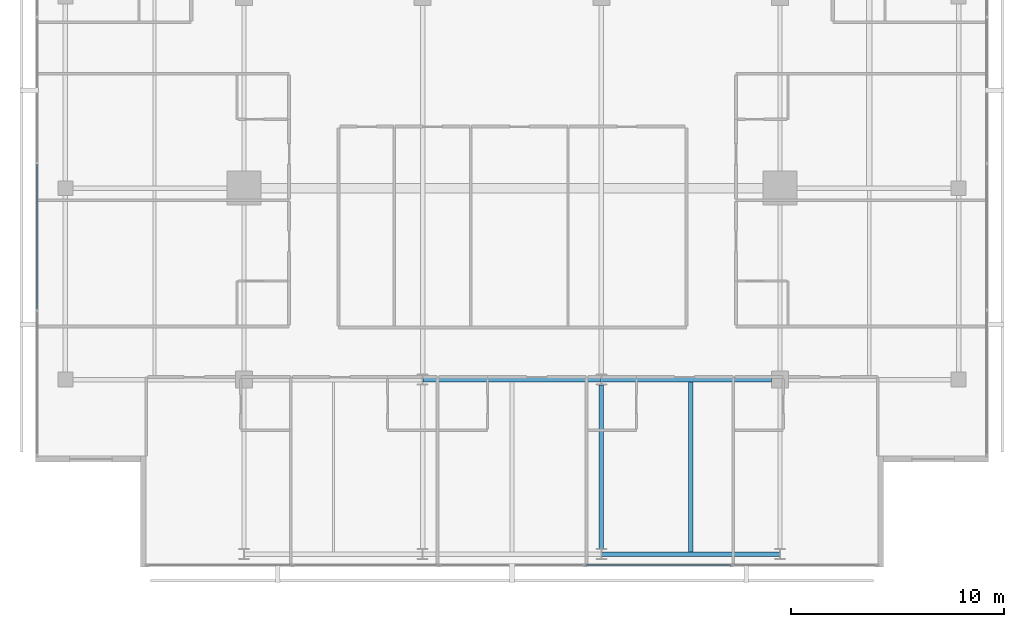
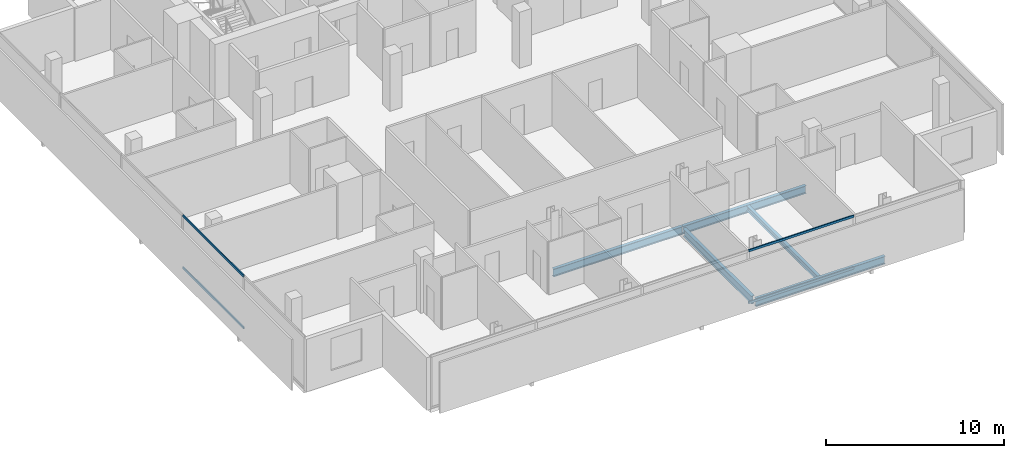
# One storey, part 7 of 26: 5 beams, 4 members, 2 elements without a shape of their own.
"""IFC4 building model written with IfcOpenShell, lengths in metres."""

from ifc_helpers import new_model, si_unit, direction, frame, origin, origin_2d, place, context, subcontext, project, spatial, hollow_rectangle, i_section, extrude, material, layer, layer_set, material_profile, profile_set, type_object, element, aggregate, save


model = new_model("IFC4")

# Units and contexts
model_context = context("Model", 3, precision=1e-05, world=origin(), true_north=direction((0.0, 1.0)))
body_context = subcontext(model_context, "Body", "Model", "MODEL_VIEW")
ifc_project = project(units=[si_unit("LENGTHUNIT", "METRE"), si_unit("AREAUNIT", "SQUARE_METRE"), si_unit("VOLUMEUNIT", "CUBIC_METRE"), si_unit("PLANEANGLEUNIT", "RADIAN"), si_unit("MASSUNIT", "GRAM", prefix="KILO")], contexts=[model_context])

# Site, building, storey
site_placement = place(None, origin())
site = spatial("IfcSite", under=ifc_project, at=site_placement, CompositionType="ELEMENT")
building_placement = place(site_placement, origin())
building = spatial("IfcBuilding", under=site, at=building_placement, Name="Maruvema Waterfront Hotel and Observation Tower", CompositionType="ELEMENT")
storey_placement = place(building_placement, frame((0.0, 0.0, 266.35009765625)))
storey = spatial("IfcBuildingStorey", under=building, at=storey_placement, Name="L65", CompositionType="ELEMENT", Elevation=266.35009765625)

# Curtain wall, members
ifc_material_1 = material(Name="Anodised bronze aluminium and solar-control low-E IGU", Category="aluminium")
ifc_layer = layer(ifc_material_1, 0.159912109375, Name="Zone 3 Champagne Inner Thermal Curtain Wall System CW-04")
ifc_layer_set = layer_set([ifc_layer], Name="Anodised bronze aluminium and solar-control low-E IGU")
curtain_wall_type = type_object("IfcCurtainWallType", Name="Zone 3 Champagne Inner Thermal Curtain Wall System CW-04", PredefinedType="USERDEFINED", material=ifc_layer_set)
curtain_wall_1_placement = place(storey_placement, origin())
curtain_wall_1 = element("IfcCurtainWall", 1, at=curtain_wall_1_placement, inside=storey, type_object=curtain_wall_type, Name="L65 Curtain Wall CW-L65-S", ObjectType="UNITISED CURTAIN WALL", PredefinedType="USERDEFINED")
ifc_material_2 = material(Name="Anodised architectural bronze aluminium", Category="aluminium")
ifc_material_profile_1 = material_profile(ifc_material_2, hollow_rectangle(XDim=0.070068359375, YDim=0.14990234375, WallThickness=0.00390625, at=origin_2d()), Name="ALU-T70x150")
ifc_profile_set_1 = profile_set([ifc_material_profile_1], Name="Anodised architectural bronze aluminium")
member_type = type_object("IfcMemberType", Name="Curtain Wall Horizontal Transom ALU-T70x150", PredefinedType="USERDEFINED", material=ifc_profile_set_1)
member_1_placement = place(storey_placement, frame((41.27001953125, 9.280029296875, 0.02978515625), z_axis=(1.0, 0.0, 0.0), x_axis=(0.0, 1.0, 0.0)))
member_1 = element("IfcMember", 2, at=member_1_placement, type_object=member_type, Name="CW-04 transom 4.1", ObjectType="TRANSOM", PredefinedType="USERDEFINED", context=body_context, shape_type="SweptSolid", body=[
    extrude(hollow_rectangle(XDim=0.070068359375, YDim=0.14990234375, WallThickness=0.00390625, at=origin_2d()), origin(), (0.0, 0.0, 1.0), 6.820068359375),
])
member_2_placement = place(storey_placement, frame((41.27001953125, 9.280029296875, 3.579833984375), z_axis=(1.0, 0.0, 0.0), x_axis=(0.0, 1.0, 0.0)))
member_2 = element("IfcMember", 3, at=member_2_placement, type_object=member_type, Name="CW-04 transom 4.2", ObjectType="TRANSOM", PredefinedType="USERDEFINED", context=body_context, shape_type="SweptSolid", body=[
    extrude(hollow_rectangle(XDim=0.070068359375, YDim=0.14990234375, WallThickness=0.00390625, at=origin_2d()), origin(), (0.0, 0.0, 1.0), 6.820068359375),
])
aggregate(curtain_wall_1, [member_1, member_2])

curtain_wall_2_placement = place(storey_placement, origin())
curtain_wall_2 = element("IfcCurtainWall", 4, at=curtain_wall_2_placement, inside=storey, type_object=curtain_wall_type, Name="L65 Curtain Wall CW-L65-W", ObjectType="UNITISED CURTAIN WALL", PredefinedType="USERDEFINED")
member_3_placement = place(storey_placement, frame((15.47998046875, 28.1298828125, 0.02978515625), z_axis=(0.0, -1.0, 0.0), x_axis=(1.0, 0.0, 0.0)))
member_3 = element("IfcMember", 5, at=member_3_placement, type_object=member_type, Name="CW-04 transom 4.1", ObjectType="TRANSOM", PredefinedType="USERDEFINED", context=body_context, shape_type="SweptSolid", body=[
    extrude(hollow_rectangle(XDim=0.070068359375, YDim=0.14990234375, WallThickness=0.00390625, at=origin_2d()), origin(), (0.0, 0.0, 1.0), 6.81982421875),
])
member_4_placement = place(storey_placement, frame((15.47998046875, 28.1298828125, 3.579833984375), z_axis=(0.0, -1.0, 0.0), x_axis=(1.0, 0.0, 0.0)))
member_4 = element("IfcMember", 6, at=member_4_placement, type_object=member_type, Name="CW-04 transom 4.2", ObjectType="TRANSOM", PredefinedType="USERDEFINED", context=body_context, shape_type="SweptSolid", body=[
    extrude(hollow_rectangle(XDim=0.070068359375, YDim=0.14990234375, WallThickness=0.00390625, at=origin_2d()), origin(), (0.0, 0.0, 1.0), 6.81982421875),
])
aggregate(curtain_wall_2, [member_3, member_4])

# Beams
ifc_material_3 = material(Name="Steel ASTM A572 Grade 50", Category="steel")
ifc_material_profile_2 = material_profile(ifc_material_3, i_section(OverallWidth=0.208984375, OverallDepth=0.532958984375, WebThickness=0.01025390625, FlangeThickness=0.015625, FilletRadius=0.014892578125, at=origin_2d()), Name="W530x92.0")
ifc_profile_set_2 = profile_set([ifc_material_profile_2], Name="Steel ASTM A572 Grade 50")
beam_type_1 = type_object("IfcBeamType", Name="Primary Floor Girder W530x92.0", PredefinedType="BEAM", material=ifc_profile_set_2)
for number, where, z_axis, x_axis, name in (
    (7, (42.010986328125, 9.800048828125, -0.506591796875), (1.0, 0.0, 0.0), (0.0, 1.0, 0.0), "L65 Floor Girder EW-03"),
    (8, (33.611083984375, 18.0, -0.506591796875), (1.0, 0.0, 0.0), (0.0, 1.0, 0.0), "L65 Floor Girder EW-06"),
):
    element("IfcBeam", number, at=place(storey_placement, frame(where, z_axis=z_axis, x_axis=x_axis)), inside=storey, type_object=beam_type_1, Name=name, PredefinedType="BEAM", context=body_context, shape_type="SweptSolid", body=[
        extrude(i_section(OverallWidth=0.208984375, OverallDepth=0.532958984375, WebThickness=0.01025390625, FlangeThickness=0.015625, FilletRadius=0.014892578125, at=origin_2d()), origin(), (0.0, 0.0, 1.0), 8.3779296875),
    ])
beam_1_placement = place(storey_placement, frame((42.010986328125, 18.0, -0.506591796875), z_axis=(1.0, 0.0, 0.0), x_axis=(0.0, 1.0, 0.0)))
element("IfcBeam", 9, at=beam_1_placement, inside=storey, type_object=beam_type_1, Name="L65 Floor Girder EW-07", PredefinedType="BEAM", context=body_context, shape_type="SweptSolid", body=[
    extrude(i_section(OverallWidth=0.208984375, OverallDepth=0.532958984375, WebThickness=0.01025390625, FlangeThickness=0.015625, FilletRadius=0.014892578125, at=origin_2d()), origin(), (0.0, 0.0, 1.0), 7.989013671875),
])
beam_2_placement = place(storey_placement, frame((42.0, 10.050048828125, -0.506591796875), z_axis=(0.0, 1.0, 0.0), x_axis=(-1.0, 0.0, 0.0)))
element("IfcBeam", 10, at=beam_2_placement, inside=storey, type_object=beam_type_1, Name="L65 Floor Girder NS-10", PredefinedType="BEAM", context=body_context, shape_type="SweptSolid", body=[
    extrude(i_section(OverallWidth=0.208984375, OverallDepth=0.532958984375, WebThickness=0.01025390625, FlangeThickness=0.015625, FilletRadius=0.014892578125, at=origin_2d()), origin(), (0.0, 0.0, 1.0), 7.699951171875),
])
ifc_material_4 = material(Name="Steel ASTM A572 Grade 50", Category="steel")
ifc_material_profile_3 = material_profile(ifc_material_4, i_section(OverallWidth=0.202880859375, OverallDepth=0.346923828125, WebThickness=0.0078125, FlangeThickness=0.013427734375, FilletRadius=0.014892578125, at=origin_2d()), Name="W360x64.0")
ifc_profile_set_3 = profile_set([ifc_material_profile_3], Name="Steel ASTM A572 Grade 50")
beam_type_2 = type_object("IfcBeamType", Name="Secondary Floor Joist W360x64.0", PredefinedType="JOIST", material=ifc_profile_set_3)
beam_3_placement = place(storey_placement, frame((46.199951171875, 9.904541015625, -0.41357421875), z_axis=(0.0, 1.0, 0.0), x_axis=(-1.0, 0.0, 0.0)))
element("IfcBeam", 11, at=beam_3_placement, inside=storey, type_object=beam_type_2, Name="L65 Secondary Floor Joist JS-06", PredefinedType="JOIST", context=body_context, shape_type="SweptSolid", body=[
    extrude(i_section(OverallWidth=0.202880859375, OverallDepth=0.346923828125, WebThickness=0.0078125, FlangeThickness=0.013427734375, FilletRadius=0.014892578125, at=origin_2d()), origin(), (0.0, 0.0, 1.0), 7.990966796875),
])

save(model, "model.ifc")
